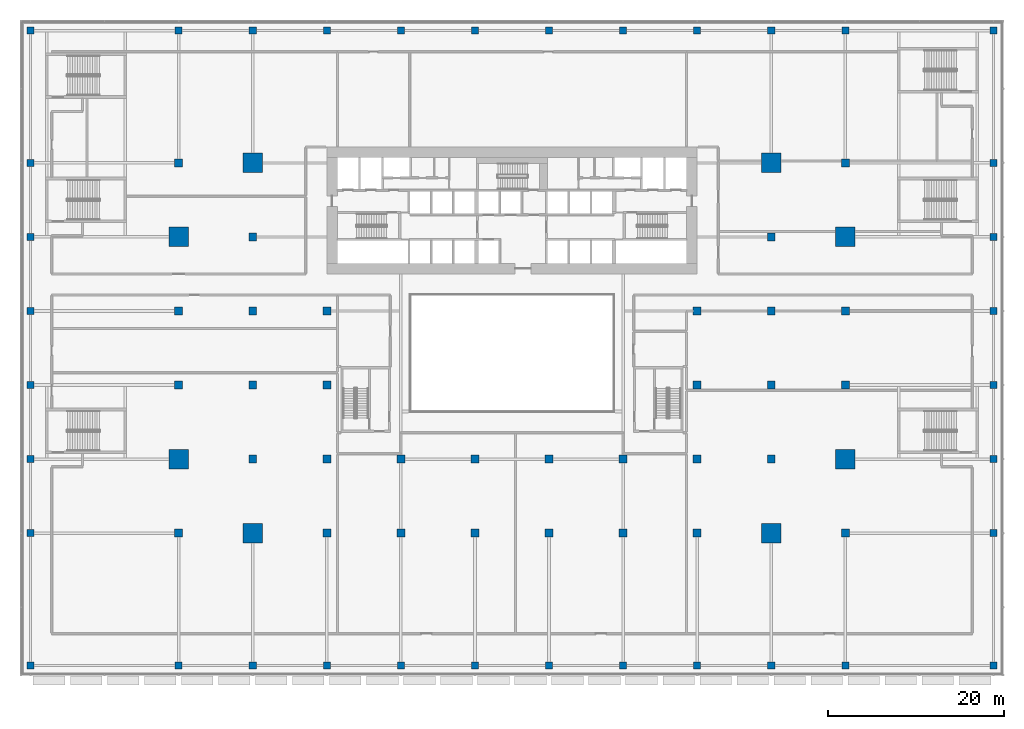
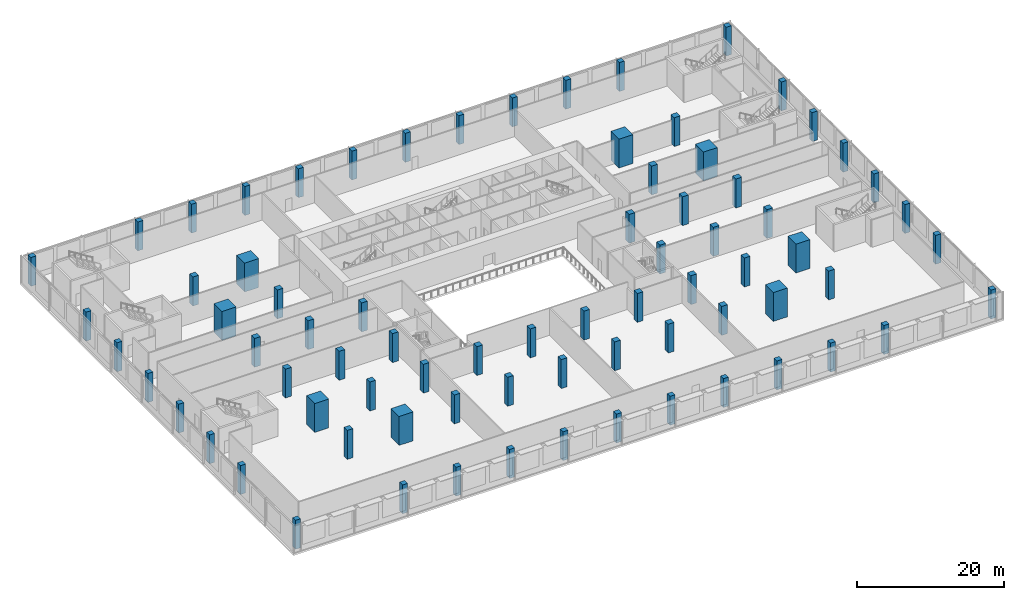
# One storey, part 1 of 39: 76 columns.
"""IFC4 building model written with IfcOpenShell, lengths in metres."""

import ifcopenshell
import ifcopenshell.guid

model = None  # the IFC model being written
_history = None  # IfcOwnerHistory: only IFC2X3 demands one
_inside = {}  # id of a spatial element -> (the spatial element, [elements in it])
_under = {}  # id of a project, library or spatial element -> (it, [spatial elements below it])
_declared = {}  # id of a project -> (the project, [libraries it declares])
_typed = {}  # id of a type object -> (the type object, [elements of that type])
_made_of = {}  # id of a material, layer set ... -> (it, [elements and type objects made of it])


def new_model(schema):
    """Start an empty IFC model of exactly this schema.

    Asked for "IFC4X3", IfcOpenShell would pick the latest addendum, in which some entities
    have other attributes; the version numbers below select the first issue.
    IFC2X3 requires an IfcOwnerHistory on every rooted entity: one is made here for all.
    """
    global model, _history
    if schema == "IFC4X3":
        model = ifcopenshell.file(schema_version=(4, 3, 0, 0))
    else:
        model = ifcopenshell.file(schema=schema)
    _inside.clear()
    _under.clear()
    _declared.clear()
    _typed.clear()
    _made_of.clear()
    _history = None
    if model.schema == "IFC2X3":
        org = make("IfcOrganization", Name="unknown")
        user = make(
            "IfcPersonAndOrganization",
            ThePerson=make("IfcPerson", FamilyName="unknown"),
            TheOrganization=org,
        )
        app = make(
            "IfcApplication",
            ApplicationDeveloper=org,
            Version="unknown",
            ApplicationFullName="unknown",
            ApplicationIdentifier="unknown",
        )
        _history = make(
            "IfcOwnerHistory",
            OwningUser=user,
            OwningApplication=app,
            ChangeAction="ADDED",
            CreationDate=0,
        )
    return model


def make(cls, **values):
    """One entity of the class cls with the attributes given. An attribute that is None is left unset."""
    return model.create_entity(
        cls, **{name: value for name, value in values.items() if value is not None}
    )


def rooted(cls, **values):
    """An entity with a GlobalId (a new one), such as an element, a storey or a relation."""
    return make(cls, GlobalId=ifcopenshell.guid.new(), OwnerHistory=_history, **values)


def si_unit(unit_type, name, prefix=None):
    """IfcSIUnit, for example si_unit("LENGTHUNIT", "METRE", prefix="MILLI")."""
    return make("IfcSIUnit", UnitType=unit_type, Prefix=prefix, Name=name)


def assignment(units):
    """IfcUnitAssignment: the units of a project."""
    return None if units is None else make("IfcUnitAssignment", Units=units)


def point(xyz):
    """IfcCartesianPoint."""
    return None if xyz is None else make("IfcCartesianPoint", Coordinates=xyz)


def direction(xyz):
    """IfcDirection."""
    return None if xyz is None else make("IfcDirection", DirectionRatios=xyz)


def frame(location, z_axis=None, x_axis=None):
    """IfcAxis2Placement3D, a coordinate frame: its origin and axes. An axis left out is left unset."""
    return make(
        "IfcAxis2Placement3D",
        Location=point(location),
        Axis=direction(z_axis),
        RefDirection=direction(x_axis),
    )


def frame_2d(location, x_axis=None):
    """IfcAxis2Placement2D, a coordinate frame in the plane: its origin and x axis."""
    return make(
        "IfcAxis2Placement2D", Location=point(location), RefDirection=direction(x_axis)
    )


def origin():
    """The frame at (0, 0, 0) with its axes left unset."""
    return frame((0.0, 0.0, 0.0))


def origin_2d():
    """The frame at (0, 0) in the plane with its x axis left unset."""
    return frame_2d((0.0, 0.0))


def place(relative_to, where):
    """IfcLocalPlacement: puts the frame where relative to a parent placement (None: the world)."""
    return make(
        "IfcLocalPlacement", PlacementRelTo=relative_to, RelativePlacement=where
    )


def context(
    kind, dimensions, precision=None, world=None, true_north=None, identifier=None
):
    """IfcGeometricRepresentationContext, for example the 3D "Model" context."""
    return make(
        "IfcGeometricRepresentationContext",
        ContextIdentifier=identifier,
        ContextType=kind,
        CoordinateSpaceDimension=dimensions,
        Precision=precision,
        WorldCoordinateSystem=world,
        TrueNorth=true_north,
    )


def subcontext(parent, identifier, kind, view, scale=None):
    """IfcGeometricRepresentationSubContext, for example "Body" below "Model"."""
    return make(
        "IfcGeometricRepresentationSubContext",
        ContextIdentifier=identifier,
        ContextType=kind,
        ParentContext=parent,
        TargetScale=scale,
        TargetView=view,
    )


def project(units=None, contexts=None):
    """IfcProject with its units and contexts."""
    return rooted(
        "IfcProject",
        Name="project",
        RepresentationContexts=contexts,
        UnitsInContext=assignment(units),
    )


def spatial(cls, under=None, at=None, **own):
    """A site, building, storey or space (cls), placed at a placement, below another one or the project."""
    s = rooted(cls, ObjectPlacement=at, **own)
    if under is not None:
        _under.setdefault(under.id(), (under, []))[1].append(s)
    return s


def profile(cls, at=None, kind="AREA", **sizes):
    """A parametric profile (cls). Its sizes go by their IFC names, for example OverallWidth=200.0."""
    return make(cls, ProfileType=kind, Position=at, **sizes)


def rectangle(**sizes):
    """IfcRectangleProfileDef."""
    return profile("IfcRectangleProfileDef", **sizes)


def extrude(swept, where, along, depth):
    """IfcExtrudedAreaSolid: the profile swept, set in the frame where, extruded along a direction by depth."""
    return make(
        "IfcExtrudedAreaSolid",
        SweptArea=swept,
        Position=where,
        ExtrudedDirection=direction(along),
        Depth=depth,
    )


def shape(context_of_items, identifier, shape_type, items):
    """IfcShapeRepresentation: the items that make up one representation, for example the "Body"."""
    return make(
        "IfcShapeRepresentation",
        ContextOfItems=context_of_items,
        RepresentationIdentifier=identifier,
        RepresentationType=shape_type,
        Items=items,
    )


def material(Name=None, Category=None):
    """IfcMaterial."""
    return make("IfcMaterial", Name=Name, Category=Category)


def material_profile(
    of_material, cross_section, Name=None, Category=None, Priority=None
):
    """IfcMaterialProfile: a cross section and its material."""
    return make(
        "IfcMaterialProfile",
        Name=Name,
        Material=of_material,
        Profile=cross_section,
        Priority=Priority,
        Category=Category,
    )


def profile_set(profiles, Name=None, composite=None):
    """IfcMaterialProfileSet."""
    return make(
        "IfcMaterialProfileSet",
        Name=Name,
        MaterialProfiles=profiles,
        CompositeProfile=composite,
    )


def made_of(thing, what):
    """Note that an element or type object is made of a material, layer set ...; save() writes the relation."""
    if what is not None:
        _made_of.setdefault(what.id(), (what, []))[1].append(thing)
    return thing


def type_object(cls, material=None, **own):
    """A type object (cls), such as IfcWallType, which elements share."""
    return made_of(rooted(cls, **own), material)


def element(
    cls,
    number,
    at=None,
    inside=None,
    cuts=None,
    type_object=None,
    material=None,
    context=None,
    identifier="Body",
    shape_type=None,
    held_by="IfcProductDefinitionShape",
    body=None,
    shapes=None,
    **own,
):
    """One element of the class cls, such as IfcWall. Its Tag is "e" and its number.

    at: its placement. inside: the storey or other place that contains it. cuts: it is an
    opening in that element (IfcRelVoidsElement). A single representation is given by context,
    identifier, shape_type and body (its items); several are given by shapes. held_by: the class
    of the entity that holds the representations. save() writes the other relations.
    """
    e = rooted(cls, Tag="e%d" % number, ObjectPlacement=at, **own)
    if body is not None:
        shapes = [shape(context, identifier, shape_type, body)]
    if shapes is not None:
        e.Representation = make(held_by, Representations=shapes)
    if inside is not None:
        _inside.setdefault(inside.id(), (inside, []))[1].append(e)
    if cuts is not None:
        rooted(
            "IfcRelVoidsElement", RelatingBuildingElement=cuts, RelatedOpeningElement=e
        )
    if type_object is not None:
        _typed.setdefault(type_object.id(), (type_object, []))[1].append(e)
    return made_of(e, material)


def aggregate(whole, parts):
    """IfcRelAggregates: a whole, such as a stair, and the parts it consists of."""
    return rooted("IfcRelAggregates", RelatingObject=whole, RelatedObjects=parts)


def save(model, path):
    """Write the relations noted so far, then the file.

    IfcRelAggregates (storeys below a building ...), IfcRelContainedInSpatialStructure (elements
    in a storey), IfcRelDefinesByType, IfcRelAssociatesMaterial and IfcRelDeclares: one each for
    every whole, place, type object, material and project.
    """
    for whole, parts in _under.values():
        aggregate(whole, parts)
    for where, things in _inside.values():
        rooted(
            "IfcRelContainedInSpatialStructure",
            RelatedElements=things,
            RelatingStructure=where,
        )
    for kind, things in _typed.values():
        rooted("IfcRelDefinesByType", RelatedObjects=things, RelatingType=kind)
    for what, things in _made_of.values():
        rooted("IfcRelAssociatesMaterial", RelatedObjects=things, RelatingMaterial=what)
    for by, libraries in _declared.values():
        rooted("IfcRelDeclares", RelatingContext=by, RelatedDefinitions=libraries)
    model.write(path)


model = new_model("IFC4")

# Units and contexts
model_context = context("Model", 3, precision=1e-05, world=origin(), true_north=direction((0.0, 1.0)))
body_context = subcontext(model_context, "Body", "Model", "MODEL_VIEW")
ifc_project = project(units=[si_unit("LENGTHUNIT", "METRE"), si_unit("AREAUNIT", "SQUARE_METRE"), si_unit("VOLUMEUNIT", "CUBIC_METRE"), si_unit("PLANEANGLEUNIT", "RADIAN"), si_unit("MASSUNIT", "GRAM", prefix="KILO")], contexts=[model_context])

# Site, building, storey
site_placement = place(None, origin())
site = spatial("IfcSite", under=ifc_project, at=site_placement, CompositionType="ELEMENT")
building_placement = place(site_placement, origin())
building = spatial("IfcBuilding", under=site, at=building_placement, Name="Saffron Gate Tower", CompositionType="ELEMENT")
storey_placement = place(building_placement, frame((0.0, 0.0, 14.39990234375)))
storey = spatial("IfcBuildingStorey", under=building, at=storey_placement, Name="L02", CompositionType="ELEMENT", Elevation=14.39990234375)

# Columns
ifc_material_1 = material(Name="Concrete C50", Category="concrete")
ifc_material_profile_1 = material_profile(ifc_material_1, rectangle(XDim=0.800048828125, YDim=0.800048828125, at=origin_2d()))
ifc_profile_set_1 = profile_set([ifc_material_profile_1], Name="Concrete C50")
column_type_1 = type_object("IfcColumnType", Name="C4 RC 800x800 CONCRETE C50", PredefinedType="COLUMN", material=ifc_profile_set_1)
for number, where, z_axis, x_axis, name in (
    (1, (33.0, 16.800048828125, 0.0), (0.0, 0.0, 1.0), (1.0, 0.0, 0.0), "C4 COLUMN RS01"),
    (2, (33.0, 88.800048828125, 0.0), (0.0, 0.0, 1.0), (1.0, 0.0, 0.0), "C4 COLUMN RN01"),
    (3, (49.800048828125, 16.800048828125, 0.0), (0.0, 0.0, 1.0), (1.0, 0.0, 0.0), "C4 COLUMN RS02"),
    (4, (49.800048828125, 88.800048828125, 0.0), (0.0, 0.0, 1.0), (1.0, 0.0, 0.0), "C4 COLUMN RN02"),
    (5, (58.199951171875, 16.800048828125, 0.0), (0.0, 0.0, 1.0), (1.0, 0.0, 0.0), "C4 COLUMN RS03"),
    (6, (58.199951171875, 88.800048828125, 0.0), (0.0, 0.0, 1.0), (1.0, 0.0, 0.0), "C4 COLUMN RN03"),
    (7, (66.60009765625, 16.800048828125, 0.0), (0.0, 0.0, 1.0), (1.0, 0.0, 0.0), "C4 COLUMN RS04"),
    (8, (66.60009765625, 88.800048828125, 0.0), (0.0, 0.0, 1.0), (1.0, 0.0, 0.0), "C4 COLUMN RN04"),
    (9, (75.0, 16.800048828125, 0.0), (0.0, 0.0, 1.0), (1.0, 0.0, 0.0), "C4 COLUMN RS05"),
    (10, (75.0, 88.800048828125, 0.0), (0.0, 0.0, 1.0), (1.0, 0.0, 0.0), "C4 COLUMN RN05"),
    (11, (83.39990234375, 16.800048828125, 0.0), (0.0, 0.0, 1.0), (1.0, 0.0, 0.0), "C4 COLUMN RS06"),
    (12, (83.39990234375, 88.800048828125, 0.0), (0.0, 0.0, 1.0), (1.0, 0.0, 0.0), "C4 COLUMN RN06"),
    (13, (91.800048828125, 16.800048828125, 0.0), (0.0, 0.0, 1.0), (1.0, 0.0, 0.0), "C4 COLUMN RS07"),
    (14, (91.800048828125, 88.800048828125, 0.0), (0.0, 0.0, 1.0), (1.0, 0.0, 0.0), "C4 COLUMN RN07"),
    (15, (100.199951171875, 16.800048828125, 0.0), (0.0, 0.0, 1.0), (1.0, 0.0, 0.0), "C4 COLUMN RS08"),
    (16, (100.199951171875, 88.800048828125, 0.0), (0.0, 0.0, 1.0), (1.0, 0.0, 0.0), "C4 COLUMN RN08"),
    (17, (108.60009765625, 16.800048828125, 0.0), (0.0, 0.0, 1.0), (1.0, 0.0, 0.0), "C4 COLUMN RS09"),
    (18, (108.60009765625, 88.800048828125, 0.0), (0.0, 0.0, 1.0), (1.0, 0.0, 0.0), "C4 COLUMN RN09"),
    (19, (117.0, 16.800048828125, 0.0), (0.0, 0.0, 1.0), (1.0, 0.0, 0.0), "C4 COLUMN RS10"),
    (20, (117.0, 88.800048828125, 0.0), (0.0, 0.0, 1.0), (1.0, 0.0, 0.0), "C4 COLUMN RN10"),
    (21, (125.39990234375, 16.800048828125, 0.0), (0.0, 0.0, 1.0), (1.0, 0.0, 0.0), "C4 COLUMN RS11"),
    (22, (125.39990234375, 88.800048828125, 0.0), (0.0, 0.0, 1.0), (1.0, 0.0, 0.0), "C4 COLUMN RN11"),
    (23, (142.199951171875, 16.800048828125, 0.0), (0.0, 0.0, 1.0), (1.0, 0.0, 0.0), "C4 COLUMN RS12"),
    (24, (142.199951171875, 88.800048828125, 0.0), (0.0, 0.0, 1.0), (1.0, 0.0, 0.0), "C4 COLUMN RN12"),
    (25, (33.0, 31.800048828125, 0.0), (0.0, 0.0, 1.0), (1.0, 0.0, 0.0), "C4 COLUMN RW01"),
    (26, (142.199951171875, 31.800048828125, 0.0), (0.0, 0.0, 1.0), (1.0, 0.0, 0.0), "C4 COLUMN RE01"),
    (27, (33.0, 40.199951171875, 0.0), (0.0, 0.0, 1.0), (1.0, 0.0, 0.0), "C4 COLUMN RW02"),
    (28, (142.199951171875, 40.199951171875, 0.0), (0.0, 0.0, 1.0), (1.0, 0.0, 0.0), "C4 COLUMN RE02"),
    (29, (33.0, 48.60009765625, 0.0), (0.0, 0.0, 1.0), (1.0, 0.0, 0.0), "C4 COLUMN RW03"),
    (30, (142.199951171875, 48.60009765625, 0.0), (0.0, 0.0, 1.0), (1.0, 0.0, 0.0), "C4 COLUMN RE03"),
    (31, (33.0, 57.0, 0.0), (0.0, 0.0, 1.0), (1.0, 0.0, 0.0), "C4 COLUMN RW04"),
    (32, (142.199951171875, 57.0, 0.0), (0.0, 0.0, 1.0), (1.0, 0.0, 0.0), "C4 COLUMN RE04"),
    (33, (33.0, 65.39990234375, 0.0), (0.0, 0.0, 1.0), (1.0, 0.0, 0.0), "C4 COLUMN RW05"),
    (34, (142.199951171875, 65.39990234375, 0.0), (0.0, 0.0, 1.0), (1.0, 0.0, 0.0), "C4 COLUMN RE05"),
    (35, (33.0, 73.800048828125, 0.0), (0.0, 0.0, 1.0), (1.0, 0.0, 0.0), "C4 COLUMN RW06"),
    (36, (142.199951171875, 73.800048828125, 0.0), (0.0, 0.0, 1.0), (1.0, 0.0, 0.0), "C4 COLUMN RE06"),
):
    element("IfcColumn", number, at=place(storey_placement, frame(where, z_axis=z_axis, x_axis=x_axis)), inside=storey, type_object=column_type_1, Name=name, PredefinedType="COLUMN", context=body_context, shape_type="SweptSolid", body=[
        extrude(rectangle(XDim=0.800048828125, YDim=0.800048828125, at=origin_2d()), origin(), (0.0, 0.0, 1.0), 4.800048828125),
    ])
ifc_material_2 = material(Name="Concrete C60", Category="concrete")
ifc_material_profile_2 = material_profile(ifc_material_2, rectangle(XDim=0.89990234375, YDim=0.89990234375, at=origin_2d()))
ifc_profile_set_2 = profile_set([ifc_material_profile_2], Name="Concrete C60")
column_type_2 = type_object("IfcColumnType", Name="C6 RC 900x900 CONCRETE C60", PredefinedType="COLUMN", material=ifc_profile_set_2)
for number, where, z_axis, x_axis, name in (
    (37, (49.800048828125, 31.800048828125, 0.0), (0.0, 0.0, 1.0), (1.0, 0.0, 0.0), "C6 COLUMN X1-A"),
    (38, (49.800048828125, 48.60009765625, 0.0), (0.0, 0.0, 1.0), (1.0, 0.0, 0.0), "C6 COLUMN X1-C"),
    (39, (49.800048828125, 57.0, 0.0), (0.0, 0.0, 1.0), (1.0, 0.0, 0.0), "C6 COLUMN X1-D"),
    (40, (49.800048828125, 73.800048828125, 0.0), (0.0, 0.0, 1.0), (1.0, 0.0, 0.0), "C6 COLUMN X1-F"),
    (41, (58.199951171875, 40.199951171875, 0.0), (0.0, 0.0, 1.0), (1.0, 0.0, 0.0), "C6 COLUMN X2-B"),
    (42, (58.199951171875, 48.60009765625, 0.0), (0.0, 0.0, 1.0), (1.0, 0.0, 0.0), "C6 COLUMN X2-C"),
    (43, (58.199951171875, 57.0, 0.0), (0.0, 0.0, 1.0), (1.0, 0.0, 0.0), "C6 COLUMN X2-D"),
    (44, (58.199951171875, 65.39990234375, 0.0), (0.0, 0.0, 1.0), (1.0, 0.0, 0.0), "C6 COLUMN X2-E"),
    (45, (66.60009765625, 31.800048828125, 0.0), (0.0, 0.0, 1.0), (1.0, 0.0, 0.0), "C6 COLUMN X3-A"),
    (46, (66.60009765625, 40.199951171875, 0.0), (0.0, 0.0, 1.0), (1.0, 0.0, 0.0), "C6 COLUMN X3-B"),
    (47, (66.60009765625, 48.60009765625, 0.0), (0.0, 0.0, 1.0), (1.0, 0.0, 0.0), "C6 COLUMN X3-C"),
    (48, (66.60009765625, 57.0, 0.0), (0.0, 0.0, 1.0), (1.0, 0.0, 0.0), "C6 COLUMN X3-D"),
    (49, (75.0, 31.800048828125, 0.0), (0.0, 0.0, 1.0), (1.0, 0.0, 0.0), "C6 COLUMN X4-A"),
    (50, (75.0, 40.199951171875, 0.0), (0.0, 0.0, 1.0), (1.0, 0.0, 0.0), "C6 COLUMN X4-B"),
    (51, (83.39990234375, 31.800048828125, 0.0), (0.0, 0.0, 1.0), (1.0, 0.0, 0.0), "C6 COLUMN X5-A"),
    (52, (83.39990234375, 40.199951171875, 0.0), (0.0, 0.0, 1.0), (1.0, 0.0, 0.0), "C6 COLUMN X5-B"),
    (53, (91.800048828125, 31.800048828125, 0.0), (0.0, 0.0, 1.0), (1.0, 0.0, 0.0), "C6 COLUMN X6-A"),
    (54, (91.800048828125, 40.199951171875, 0.0), (0.0, 0.0, 1.0), (1.0, 0.0, 0.0), "C6 COLUMN X6-B"),
    (55, (100.199951171875, 31.800048828125, 0.0), (0.0, 0.0, 1.0), (1.0, 0.0, 0.0), "C6 COLUMN X7-A"),
    (56, (100.199951171875, 40.199951171875, 0.0), (0.0, 0.0, 1.0), (1.0, 0.0, 0.0), "C6 COLUMN X7-B"),
    (57, (108.60009765625, 31.800048828125, 0.0), (0.0, 0.0, 1.0), (1.0, 0.0, 0.0), "C6 COLUMN X8-A"),
    (58, (108.60009765625, 40.199951171875, 0.0), (0.0, 0.0, 1.0), (1.0, 0.0, 0.0), "C6 COLUMN X8-B"),
    (59, (108.60009765625, 48.60009765625, 0.0), (0.0, 0.0, 1.0), (1.0, 0.0, 0.0), "C6 COLUMN X8-C"),
    (60, (108.60009765625, 57.0, 0.0), (0.0, 0.0, 1.0), (1.0, 0.0, 0.0), "C6 COLUMN X8-D"),
    (61, (117.0, 40.199951171875, 0.0), (0.0, 0.0, 1.0), (1.0, 0.0, 0.0), "C6 COLUMN X9-B"),
    (62, (117.0, 48.60009765625, 0.0), (0.0, 0.0, 1.0), (1.0, 0.0, 0.0), "C6 COLUMN X9-C"),
    (63, (117.0, 57.0, 0.0), (0.0, 0.0, 1.0), (1.0, 0.0, 0.0), "C6 COLUMN X9-D"),
    (64, (117.0, 65.39990234375, 0.0), (0.0, 0.0, 1.0), (1.0, 0.0, 0.0), "C6 COLUMN X9-E"),
    (65, (125.39990234375, 31.800048828125, 0.0), (0.0, 0.0, 1.0), (1.0, 0.0, 0.0), "C6 COLUMN X10-A"),
    (66, (125.39990234375, 48.60009765625, 0.0), (0.0, 0.0, 1.0), (1.0, 0.0, 0.0), "C6 COLUMN X10-C"),
    (67, (125.39990234375, 57.0, 0.0), (0.0, 0.0, 1.0), (1.0, 0.0, 0.0), "C6 COLUMN X10-D"),
    (68, (125.39990234375, 73.800048828125, 0.0), (0.0, 0.0, 1.0), (1.0, 0.0, 0.0), "C6 COLUMN X10-F"),
):
    element("IfcColumn", number, at=place(storey_placement, frame(where, z_axis=z_axis, x_axis=x_axis)), inside=storey, type_object=column_type_2, Name=name, PredefinedType="COLUMN", context=body_context, shape_type="SweptSolid", body=[
        extrude(rectangle(XDim=0.89990234375, YDim=0.89990234375, at=origin_2d()), origin(), (0.0, 0.0, 1.0), 4.800048828125),
    ])
ifc_material_3 = material(Name="Concrete C80", Category="concrete")
ifc_material_profile_3 = material_profile(ifc_material_3, rectangle(XDim=2.199951171875, YDim=2.199951171875, at=origin_2d()))
ifc_profile_set_3 = profile_set([ifc_material_profile_3], Name="Concrete C80")
column_type_3 = type_object("IfcColumnType", Name="MC4 RC 2200x2200 CONCRETE C80", PredefinedType="COLUMN", material=ifc_profile_set_3)
for number, where, z_axis, x_axis, name in (
    (69, (49.800048828125, 40.199951171875, 0.0), (0.0, 0.0, 1.0), (1.0, 0.0, 0.0), "MC4 MEGA COLUMN X1-B"),
    (70, (49.800048828125, 65.39990234375, 0.0), (0.0, 0.0, 1.0), (1.0, 0.0, 0.0), "MC4 MEGA COLUMN X1-E"),
    (71, (58.199951171875, 31.800048828125, 0.0), (0.0, 0.0, 1.0), (1.0, 0.0, 0.0), "MC4 MEGA COLUMN X2-A"),
    (72, (58.199951171875, 73.800048828125, 0.0), (0.0, 0.0, 1.0), (1.0, 0.0, 0.0), "MC4 MEGA COLUMN X2-F"),
    (73, (117.0, 31.800048828125, 0.0), (0.0, 0.0, 1.0), (1.0, 0.0, 0.0), "MC4 MEGA COLUMN X9-A"),
    (74, (117.0, 73.800048828125, 0.0), (0.0, 0.0, 1.0), (1.0, 0.0, 0.0), "MC4 MEGA COLUMN X9-F"),
    (75, (125.39990234375, 40.199951171875, 0.0), (0.0, 0.0, 1.0), (1.0, 0.0, 0.0), "MC4 MEGA COLUMN X10-B"),
    (76, (125.39990234375, 65.39990234375, 0.0), (0.0, 0.0, 1.0), (1.0, 0.0, 0.0), "MC4 MEGA COLUMN X10-E"),
):
    element("IfcColumn", number, at=place(storey_placement, frame(where, z_axis=z_axis, x_axis=x_axis)), inside=storey, type_object=column_type_3, Name=name, PredefinedType="COLUMN", context=body_context, shape_type="SweptSolid", body=[
        extrude(rectangle(XDim=2.199951171875, YDim=2.199951171875, at=origin_2d()), origin(), (0.0, 0.0, 1.0), 4.800048828125),
    ])

save(model, "model.ifc")
